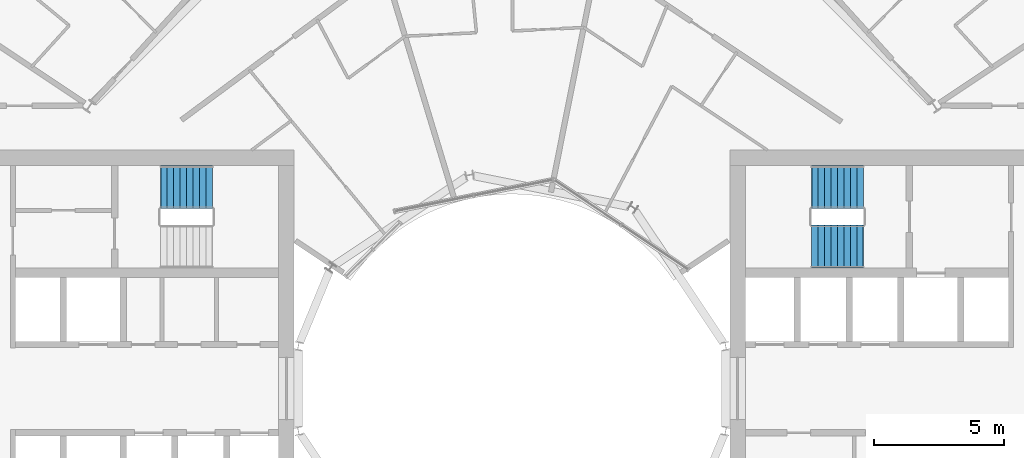
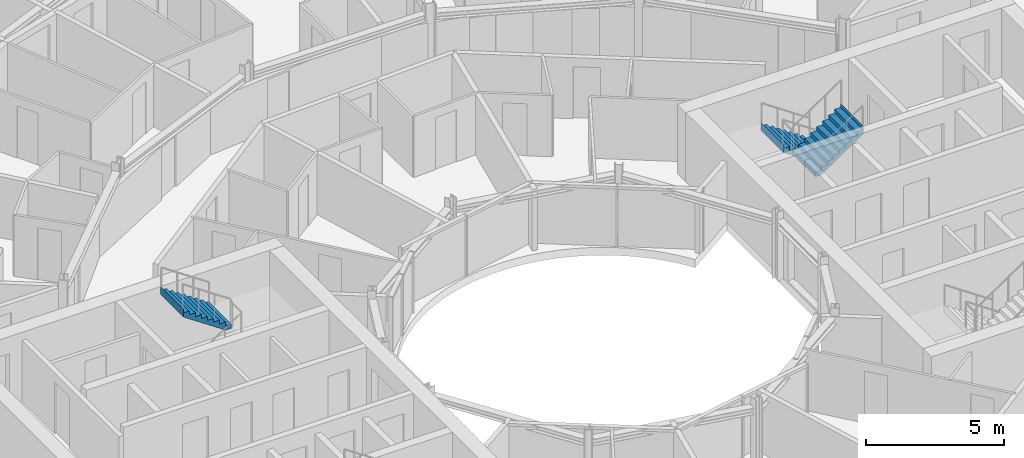
# One storey, part 25 of 27: 3 stair flights, 2 elements without a shape of their own.
"""IFC4 building model written with IfcOpenShell, lengths in metres."""

from ifc_helpers import new_model, si_unit, direction, frame, origin, place, context, subcontext, project, spatial, triangles, material, type_object, element, aggregate, save


model = new_model("IFC4")

# Units and contexts
model_context = context("Model", 3, precision=1e-05, world=origin(), true_north=direction((0.0, 1.0)))
body_context = subcontext(model_context, "Body", "Model", "MODEL_VIEW")
ifc_project = project(units=[si_unit("LENGTHUNIT", "METRE"), si_unit("AREAUNIT", "SQUARE_METRE"), si_unit("VOLUMEUNIT", "CUBIC_METRE"), si_unit("PLANEANGLEUNIT", "RADIAN"), si_unit("MASSUNIT", "GRAM", prefix="KILO")], contexts=[model_context])

# Site, building, storey
site_placement = place(None, origin())
site = spatial("IfcSite", under=ifc_project, at=site_placement, CompositionType="ELEMENT")
building_placement = place(site_placement, origin())
building = spatial("IfcBuilding", under=site, at=building_placement, Name="Maasbend Ring Residences", CompositionType="ELEMENT")
storey_placement = place(building_placement, frame((0.0, 0.0, 126.89990234375)))
storey = spatial("IfcBuildingStorey", under=building, at=storey_placement, Name="L36", CompositionType="ELEMENT", Elevation=126.89990234375)

# Stair, stair flights
ifc_material_1 = material(Name="Concrete C40/50", Category="concrete")
stair_type = type_object("IfcStairType", Name="CORE STAIR 18 RISERS", PredefinedType="HALF_TURN_STAIR", material=ifc_material_1)
stair_1_placement = place(storey_placement, origin())
stair_1 = element("IfcStair", 1, at=stair_1_placement, inside=storey, type_object=stair_type, Name="L36 Exit stair ST-E1", PredefinedType="HALF_TURN_STAIR")
ifc_material_2 = material(Name="Concrete C40/50", Category="concrete")
stair_flight_type = type_object("IfcStairFlightType", Name="CORE STAIR FLIGHT 1650", PredefinedType="STRAIGHT", material=ifc_material_2)
stair_flight_1_placement = place(storey_placement, frame((13.550048828125, 7.77490234375, 0.0), z_axis=(0.0, 0.0, 1.0), x_axis=(-1.0, 0.0, 0.0)))
stair_flight_1 = element("IfcStairFlight", 2, at=stair_flight_1_placement, type_object=stair_flight_type, Name="ST-E1 flight 1", NumberOfRisers=9, NumberOfTreads=8, PredefinedType="STRAIGHT", RiserHeight=0.169444444, TreadLength=0.25, context=body_context, shape_type="Tessellation", body=[
    triangles([(0.24072265625, 0.824951171875, -0.02001953125), (2.0029296875, 0.824951171875, 1.174560546875), (2.0029296875, 0.824951171875, 1.52490234375), (1.989990234375, 0.824951171875, 1.35546875), (1.75, 0.824951171875, 1.35546875), (1.75, 0.824951171875, 1.18603515625), (1.5, 0.824951171875, 1.18603515625), (1.5, 0.824951171875, 1.0166015625), (1.25, 0.824951171875, 1.0166015625), (1.25, 0.824951171875, 0.84716796875), (1.0, 0.824951171875, 0.84716796875), (1.0, 0.824951171875, 0.677734375), (0.75, 0.824951171875, 0.677734375), (0.75, 0.824951171875, 0.50830078125), (0.5, 0.824951171875, 0.50830078125), (0.5, 0.824951171875, 0.3388671875), (0.25, 0.824951171875, 0.3388671875), (0.25, 0.824951171875, 0.16943359375), (0.0, 0.824951171875, 0.16943359375), (0.0, 0.824951171875, 0.0), (-0.0029296875, 0.824951171875, 0.0), (-0.0029296875, 0.824951171875, -0.02001953125), (0.24072265625, 0.27490234375, -0.02001953125), (2.0029296875, 0.27490234375, 1.174560546875), (2.0029296875, 0.27490234375, 1.52490234375), (1.989990234375, 0.27490234375, 1.35546875), (1.75, 0.27490234375, 1.35546875), (1.75, 0.27490234375, 1.18603515625), (1.5, 0.27490234375, 1.18603515625), (1.5, 0.27490234375, 1.0166015625), (1.25, 0.27490234375, 1.0166015625), (1.25, 0.27490234375, 0.84716796875), (1.0, 0.27490234375, 0.84716796875), (1.0, 0.27490234375, 0.677734375), (0.75, 0.27490234375, 0.677734375), (0.75, 0.27490234375, 0.50830078125), (0.5, 0.27490234375, 0.50830078125), (0.5, 0.27490234375, 0.3388671875), (0.25, 0.27490234375, 0.3388671875), (0.25, 0.27490234375, 0.16943359375), (0.0, 0.27490234375, 0.16943359375), (0.0, 0.27490234375, 0.0), (-0.0029296875, 0.27490234375, 0.0), (-0.0029296875, 0.27490234375, -0.02001953125), (0.24072265625, -0.27490234375, -0.02001953125), (2.0029296875, -0.27490234375, 1.174560546875), (2.0029296875, -0.27490234375, 1.52490234375), (1.989990234375, -0.27490234375, 1.35546875), (1.75, -0.27490234375, 1.35546875), (1.75, -0.27490234375, 1.18603515625), (1.5, -0.27490234375, 1.18603515625), (1.5, -0.27490234375, 1.0166015625), (1.25, -0.27490234375, 1.0166015625), (1.25, -0.27490234375, 0.84716796875), (1.0, -0.27490234375, 0.84716796875), (1.0, -0.27490234375, 0.677734375), (0.75, -0.27490234375, 0.677734375), (0.75, -0.27490234375, 0.50830078125), (0.5, -0.27490234375, 0.50830078125), (0.5, -0.27490234375, 0.3388671875), (0.25, -0.27490234375, 0.3388671875), (0.25, -0.27490234375, 0.16943359375), (0.0, -0.27490234375, 0.16943359375), (0.0, -0.27490234375, 0.0), (-0.0029296875, -0.27490234375, 0.0), (-0.0029296875, -0.27490234375, -0.02001953125), (0.24072265625, -0.824951171875, -0.02001953125), (2.0029296875, -0.824951171875, 1.174560546875), (2.0029296875, -0.824951171875, 1.52490234375), (1.989990234375, -0.824951171875, 1.35546875), (1.75, -0.824951171875, 1.35546875), (1.75, -0.824951171875, 1.18603515625), (1.5, -0.824951171875, 1.18603515625), (1.5, -0.824951171875, 1.0166015625), (1.25, -0.824951171875, 1.0166015625), (1.25, -0.824951171875, 0.84716796875), (1.0, -0.824951171875, 0.84716796875), (1.0, -0.824951171875, 0.677734375), (0.75, -0.824951171875, 0.677734375), (0.75, -0.824951171875, 0.50830078125), (0.5, -0.824951171875, 0.50830078125), (0.5, -0.824951171875, 0.3388671875), (0.25, -0.824951171875, 0.3388671875), (0.25, -0.824951171875, 0.16943359375), (0.0, -0.824951171875, 0.16943359375), (0.0, -0.824951171875, 0.0), (-0.0029296875, -0.824951171875, 0.0), (-0.0029296875, -0.824951171875, -0.02001953125)], [[1, 2, 24], [1, 24, 23], [23, 24, 46], [23, 46, 45], [45, 46, 68], [45, 68, 67], [2, 3, 25], [2, 25, 24], [24, 25, 47], [24, 47, 46], [46, 47, 69], [46, 69, 68], [3, 4, 26], [3, 26, 25], [25, 26, 48], [25, 48, 47], [47, 48, 70], [47, 70, 69], [4, 5, 27], [4, 27, 26], [26, 27, 49], [26, 49, 48], [48, 49, 71], [48, 71, 70], [5, 6, 28], [5, 28, 27], [27, 28, 50], [27, 50, 49], [49, 50, 72], [49, 72, 71], [6, 7, 29], [6, 29, 28], [28, 29, 51], [28, 51, 50], [50, 51, 73], [50, 73, 72], [7, 8, 30], [7, 30, 29], [29, 30, 52], [29, 52, 51], [51, 52, 74], [51, 74, 73], [8, 9, 31], [8, 31, 30], [30, 31, 53], [30, 53, 52], [52, 53, 75], [52, 75, 74], [9, 10, 32], [9, 32, 31], [31, 32, 54], [31, 54, 53], [53, 54, 76], [53, 76, 75], [10, 11, 33], [10, 33, 32], [32, 33, 55], [32, 55, 54], [54, 55, 77], [54, 77, 76], [11, 12, 34], [11, 34, 33], [33, 34, 56], [33, 56, 55], [55, 56, 78], [55, 78, 77], [12, 13, 35], [12, 35, 34], [34, 35, 57], [34, 57, 56], [56, 57, 79], [56, 79, 78], [13, 14, 36], [13, 36, 35], [35, 36, 58], [35, 58, 57], [57, 58, 80], [57, 80, 79], [14, 15, 37], [14, 37, 36], [36, 37, 59], [36, 59, 58], [58, 59, 81], [58, 81, 80], [15, 16, 38], [15, 38, 37], [37, 38, 60], [37, 60, 59], [59, 60, 82], [59, 82, 81], [16, 17, 39], [16, 39, 38], [38, 39, 61], [38, 61, 60], [60, 61, 83], [60, 83, 82], [17, 18, 40], [17, 40, 39], [39, 40, 62], [39, 62, 61], [61, 62, 84], [61, 84, 83], [18, 19, 41], [18, 41, 40], [40, 41, 63], [40, 63, 62], [62, 63, 85], [62, 85, 84], [19, 20, 42], [19, 42, 41], [41, 42, 64], [41, 64, 63], [63, 64, 86], [63, 86, 85], [20, 21, 43], [20, 43, 42], [42, 43, 65], [42, 65, 64], [64, 65, 87], [64, 87, 86], [21, 22, 44], [21, 44, 43], [43, 44, 66], [43, 66, 65], [65, 66, 88], [65, 88, 87], [22, 1, 23], [22, 23, 44], [44, 23, 45], [44, 45, 66], [66, 45, 67], [66, 67, 88], [22, 2, 1], [2, 4, 3], [2, 5, 4], [2, 6, 5], [22, 6, 2], [6, 8, 7], [22, 8, 6], [8, 10, 9], [22, 10, 8], [10, 12, 11], [22, 12, 10], [12, 14, 13], [22, 14, 12], [14, 16, 15], [22, 16, 14], [16, 18, 17], [22, 18, 16], [18, 20, 19], [22, 20, 18], [20, 22, 21], [88, 67, 68], [68, 69, 70], [68, 70, 71], [68, 71, 72], [88, 68, 72], [72, 73, 74], [88, 72, 74], [74, 75, 76], [88, 74, 76], [76, 77, 78], [88, 76, 78], [78, 79, 80], [88, 78, 80], [80, 81, 82], [88, 80, 82], [82, 83, 84], [88, 82, 84], [84, 85, 86], [88, 84, 86], [86, 87, 88]], closed=True),
])
stair_flight_2_placement = place(storey_placement, frame((11.550048828125, 5.47509765625, 1.525146484375), z_axis=(0.0, 0.0, 1.0), x_axis=(1.0, 0.0, 0.0)))
stair_flight_2 = element("IfcStairFlight", 3, at=stair_flight_2_placement, type_object=stair_flight_type, Name="ST-E1 flight 2", NumberOfRisers=9, NumberOfTreads=8, PredefinedType="STRAIGHT", RiserHeight=0.169444444, TreadLength=0.25, context=body_context, shape_type="Tessellation", body=[
    triangles([(0.24072265625, 0.824951171875, -0.02001953125), (2.0029296875, 0.824951171875, 1.174560546875), (2.0029296875, 0.824951171875, 1.52490234375), (1.989990234375, 0.824951171875, 1.35546875), (1.75, 0.824951171875, 1.35546875), (1.75, 0.824951171875, 1.18603515625), (1.5, 0.824951171875, 1.18603515625), (1.5, 0.824951171875, 1.0166015625), (1.25, 0.824951171875, 1.0166015625), (1.25, 0.824951171875, 0.84716796875), (1.0, 0.824951171875, 0.84716796875), (1.0, 0.824951171875, 0.677734375), (0.75, 0.824951171875, 0.677734375), (0.75, 0.824951171875, 0.50830078125), (0.5, 0.824951171875, 0.50830078125), (0.5, 0.824951171875, 0.3388671875), (0.25, 0.824951171875, 0.3388671875), (0.25, 0.824951171875, 0.16943359375), (0.0, 0.824951171875, 0.16943359375), (0.0, 0.824951171875, 0.0), (-0.0029296875, 0.824951171875, 0.0), (-0.0029296875, 0.824951171875, -0.02001953125), (0.24072265625, 0.27490234375, -0.02001953125), (2.0029296875, 0.27490234375, 1.174560546875), (2.0029296875, 0.27490234375, 1.52490234375), (1.989990234375, 0.27490234375, 1.35546875), (1.75, 0.27490234375, 1.35546875), (1.75, 0.27490234375, 1.18603515625), (1.5, 0.27490234375, 1.18603515625), (1.5, 0.27490234375, 1.0166015625), (1.25, 0.27490234375, 1.0166015625), (1.25, 0.27490234375, 0.84716796875), (1.0, 0.27490234375, 0.84716796875), (1.0, 0.27490234375, 0.677734375), (0.75, 0.27490234375, 0.677734375), (0.75, 0.27490234375, 0.50830078125), (0.5, 0.27490234375, 0.50830078125), (0.5, 0.27490234375, 0.3388671875), (0.25, 0.27490234375, 0.3388671875), (0.25, 0.27490234375, 0.16943359375), (0.0, 0.27490234375, 0.16943359375), (0.0, 0.27490234375, 0.0), (-0.0029296875, 0.27490234375, 0.0), (-0.0029296875, 0.27490234375, -0.02001953125), (0.24072265625, -0.27490234375, -0.02001953125), (2.0029296875, -0.27490234375, 1.174560546875), (2.0029296875, -0.27490234375, 1.52490234375), (1.989990234375, -0.27490234375, 1.35546875), (1.75, -0.27490234375, 1.35546875), (1.75, -0.27490234375, 1.18603515625), (1.5, -0.27490234375, 1.18603515625), (1.5, -0.27490234375, 1.0166015625), (1.25, -0.27490234375, 1.0166015625), (1.25, -0.27490234375, 0.84716796875), (1.0, -0.27490234375, 0.84716796875), (1.0, -0.27490234375, 0.677734375), (0.75, -0.27490234375, 0.677734375), (0.75, -0.27490234375, 0.50830078125), (0.5, -0.27490234375, 0.50830078125), (0.5, -0.27490234375, 0.3388671875), (0.25, -0.27490234375, 0.3388671875), (0.25, -0.27490234375, 0.16943359375), (0.0, -0.27490234375, 0.16943359375), (0.0, -0.27490234375, 0.0), (-0.0029296875, -0.27490234375, 0.0), (-0.0029296875, -0.27490234375, -0.02001953125), (0.24072265625, -0.824951171875, -0.02001953125), (2.0029296875, -0.824951171875, 1.174560546875), (2.0029296875, -0.824951171875, 1.52490234375), (1.989990234375, -0.824951171875, 1.35546875), (1.75, -0.824951171875, 1.35546875), (1.75, -0.824951171875, 1.18603515625), (1.5, -0.824951171875, 1.18603515625), (1.5, -0.824951171875, 1.0166015625), (1.25, -0.824951171875, 1.0166015625), (1.25, -0.824951171875, 0.84716796875), (1.0, -0.824951171875, 0.84716796875), (1.0, -0.824951171875, 0.677734375), (0.75, -0.824951171875, 0.677734375), (0.75, -0.824951171875, 0.50830078125), (0.5, -0.824951171875, 0.50830078125), (0.5, -0.824951171875, 0.3388671875), (0.25, -0.824951171875, 0.3388671875), (0.25, -0.824951171875, 0.16943359375), (0.0, -0.824951171875, 0.16943359375), (0.0, -0.824951171875, 0.0), (-0.0029296875, -0.824951171875, 0.0), (-0.0029296875, -0.824951171875, -0.02001953125)], [[1, 2, 24], [1, 24, 23], [23, 24, 46], [23, 46, 45], [45, 46, 68], [45, 68, 67], [2, 3, 25], [2, 25, 24], [24, 25, 47], [24, 47, 46], [46, 47, 69], [46, 69, 68], [3, 4, 26], [3, 26, 25], [25, 26, 48], [25, 48, 47], [47, 48, 70], [47, 70, 69], [4, 5, 27], [4, 27, 26], [26, 27, 49], [26, 49, 48], [48, 49, 71], [48, 71, 70], [5, 6, 28], [5, 28, 27], [27, 28, 50], [27, 50, 49], [49, 50, 72], [49, 72, 71], [6, 7, 29], [6, 29, 28], [28, 29, 51], [28, 51, 50], [50, 51, 73], [50, 73, 72], [7, 8, 30], [7, 30, 29], [29, 30, 52], [29, 52, 51], [51, 52, 74], [51, 74, 73], [8, 9, 31], [8, 31, 30], [30, 31, 53], [30, 53, 52], [52, 53, 75], [52, 75, 74], [9, 10, 32], [9, 32, 31], [31, 32, 54], [31, 54, 53], [53, 54, 76], [53, 76, 75], [10, 11, 33], [10, 33, 32], [32, 33, 55], [32, 55, 54], [54, 55, 77], [54, 77, 76], [11, 12, 34], [11, 34, 33], [33, 34, 56], [33, 56, 55], [55, 56, 78], [55, 78, 77], [12, 13, 35], [12, 35, 34], [34, 35, 57], [34, 57, 56], [56, 57, 79], [56, 79, 78], [13, 14, 36], [13, 36, 35], [35, 36, 58], [35, 58, 57], [57, 58, 80], [57, 80, 79], [14, 15, 37], [14, 37, 36], [36, 37, 59], [36, 59, 58], [58, 59, 81], [58, 81, 80], [15, 16, 38], [15, 38, 37], [37, 38, 60], [37, 60, 59], [59, 60, 82], [59, 82, 81], [16, 17, 39], [16, 39, 38], [38, 39, 61], [38, 61, 60], [60, 61, 83], [60, 83, 82], [17, 18, 40], [17, 40, 39], [39, 40, 62], [39, 62, 61], [61, 62, 84], [61, 84, 83], [18, 19, 41], [18, 41, 40], [40, 41, 63], [40, 63, 62], [62, 63, 85], [62, 85, 84], [19, 20, 42], [19, 42, 41], [41, 42, 64], [41, 64, 63], [63, 64, 86], [63, 86, 85], [20, 21, 43], [20, 43, 42], [42, 43, 65], [42, 65, 64], [64, 65, 87], [64, 87, 86], [21, 22, 44], [21, 44, 43], [43, 44, 66], [43, 66, 65], [65, 66, 88], [65, 88, 87], [22, 1, 23], [22, 23, 44], [44, 23, 45], [44, 45, 66], [66, 45, 67], [66, 67, 88], [22, 2, 1], [2, 4, 3], [2, 5, 4], [2, 6, 5], [22, 6, 2], [6, 8, 7], [22, 8, 6], [8, 10, 9], [22, 10, 8], [10, 12, 11], [22, 12, 10], [12, 14, 13], [22, 14, 12], [14, 16, 15], [22, 16, 14], [16, 18, 17], [22, 18, 16], [18, 20, 19], [22, 20, 18], [20, 22, 21], [88, 67, 68], [68, 69, 70], [68, 70, 71], [68, 71, 72], [88, 68, 72], [72, 73, 74], [88, 72, 74], [74, 75, 76], [88, 74, 76], [76, 77, 78], [88, 76, 78], [78, 79, 80], [88, 78, 80], [80, 81, 82], [88, 80, 82], [82, 83, 84], [88, 82, 84], [84, 85, 86], [88, 84, 86], [86, 87, 88]], closed=True),
])
aggregate(stair_1, [stair_flight_1, stair_flight_2])

# Stair, stair flight
stair_2_placement = place(storey_placement, origin())
stair_2 = element("IfcStair", 4, at=stair_2_placement, inside=storey, type_object=stair_type, Name="L36 Exit stair ST-W2", PredefinedType="HALF_TURN_STAIR")
stair_flight_3_placement = place(storey_placement, frame((-11.550048828125, 7.77490234375, 1.525146484375), z_axis=(0.0, 0.0, 1.0), x_axis=(-1.0, 0.0, 0.0)))
stair_flight_3 = element("IfcStairFlight", 5, at=stair_flight_3_placement, type_object=stair_flight_type, Name="ST-W2 flight 2", NumberOfRisers=9, NumberOfTreads=8, PredefinedType="STRAIGHT", RiserHeight=0.169444444, TreadLength=0.25, context=body_context, shape_type="Tessellation", body=[
    triangles([(0.24072265625, 0.824951171875, -0.02001953125), (2.0029296875, 0.824951171875, 1.174560546875), (2.0029296875, 0.824951171875, 1.52490234375), (1.989990234375, 0.824951171875, 1.35546875), (1.75, 0.824951171875, 1.35546875), (1.75, 0.824951171875, 1.18603515625), (1.5, 0.824951171875, 1.18603515625), (1.5, 0.824951171875, 1.0166015625), (1.25, 0.824951171875, 1.0166015625), (1.25, 0.824951171875, 0.84716796875), (1.0, 0.824951171875, 0.84716796875), (1.0, 0.824951171875, 0.677734375), (0.75, 0.824951171875, 0.677734375), (0.75, 0.824951171875, 0.50830078125), (0.5, 0.824951171875, 0.50830078125), (0.5, 0.824951171875, 0.3388671875), (0.25, 0.824951171875, 0.3388671875), (0.25, 0.824951171875, 0.16943359375), (0.0, 0.824951171875, 0.16943359375), (0.0, 0.824951171875, 0.0), (-0.0029296875, 0.824951171875, 0.0), (-0.0029296875, 0.824951171875, -0.02001953125), (0.24072265625, 0.27490234375, -0.02001953125), (2.0029296875, 0.27490234375, 1.174560546875), (2.0029296875, 0.27490234375, 1.52490234375), (1.989990234375, 0.27490234375, 1.35546875), (1.75, 0.27490234375, 1.35546875), (1.75, 0.27490234375, 1.18603515625), (1.5, 0.27490234375, 1.18603515625), (1.5, 0.27490234375, 1.0166015625), (1.25, 0.27490234375, 1.0166015625), (1.25, 0.27490234375, 0.84716796875), (1.0, 0.27490234375, 0.84716796875), (1.0, 0.27490234375, 0.677734375), (0.75, 0.27490234375, 0.677734375), (0.75, 0.27490234375, 0.50830078125), (0.5, 0.27490234375, 0.50830078125), (0.5, 0.27490234375, 0.3388671875), (0.25, 0.27490234375, 0.3388671875), (0.25, 0.27490234375, 0.16943359375), (0.0, 0.27490234375, 0.16943359375), (0.0, 0.27490234375, 0.0), (-0.0029296875, 0.27490234375, 0.0), (-0.0029296875, 0.27490234375, -0.02001953125), (0.24072265625, -0.27490234375, -0.02001953125), (2.0029296875, -0.27490234375, 1.174560546875), (2.0029296875, -0.27490234375, 1.52490234375), (1.989990234375, -0.27490234375, 1.35546875), (1.75, -0.27490234375, 1.35546875), (1.75, -0.27490234375, 1.18603515625), (1.5, -0.27490234375, 1.18603515625), (1.5, -0.27490234375, 1.0166015625), (1.25, -0.27490234375, 1.0166015625), (1.25, -0.27490234375, 0.84716796875), (1.0, -0.27490234375, 0.84716796875), (1.0, -0.27490234375, 0.677734375), (0.75, -0.27490234375, 0.677734375), (0.75, -0.27490234375, 0.50830078125), (0.5, -0.27490234375, 0.50830078125), (0.5, -0.27490234375, 0.3388671875), (0.25, -0.27490234375, 0.3388671875), (0.25, -0.27490234375, 0.16943359375), (0.0, -0.27490234375, 0.16943359375), (0.0, -0.27490234375, 0.0), (-0.0029296875, -0.27490234375, 0.0), (-0.0029296875, -0.27490234375, -0.02001953125), (0.24072265625, -0.824951171875, -0.02001953125), (2.0029296875, -0.824951171875, 1.174560546875), (2.0029296875, -0.824951171875, 1.52490234375), (1.989990234375, -0.824951171875, 1.35546875), (1.75, -0.824951171875, 1.35546875), (1.75, -0.824951171875, 1.18603515625), (1.5, -0.824951171875, 1.18603515625), (1.5, -0.824951171875, 1.0166015625), (1.25, -0.824951171875, 1.0166015625), (1.25, -0.824951171875, 0.84716796875), (1.0, -0.824951171875, 0.84716796875), (1.0, -0.824951171875, 0.677734375), (0.75, -0.824951171875, 0.677734375), (0.75, -0.824951171875, 0.50830078125), (0.5, -0.824951171875, 0.50830078125), (0.5, -0.824951171875, 0.3388671875), (0.25, -0.824951171875, 0.3388671875), (0.25, -0.824951171875, 0.16943359375), (0.0, -0.824951171875, 0.16943359375), (0.0, -0.824951171875, 0.0), (-0.0029296875, -0.824951171875, 0.0), (-0.0029296875, -0.824951171875, -0.02001953125)], [[1, 2, 24], [1, 24, 23], [23, 24, 46], [23, 46, 45], [45, 46, 68], [45, 68, 67], [2, 3, 25], [2, 25, 24], [24, 25, 47], [24, 47, 46], [46, 47, 69], [46, 69, 68], [3, 4, 26], [3, 26, 25], [25, 26, 48], [25, 48, 47], [47, 48, 70], [47, 70, 69], [4, 5, 27], [4, 27, 26], [26, 27, 49], [26, 49, 48], [48, 49, 71], [48, 71, 70], [5, 6, 28], [5, 28, 27], [27, 28, 50], [27, 50, 49], [49, 50, 72], [49, 72, 71], [6, 7, 29], [6, 29, 28], [28, 29, 51], [28, 51, 50], [50, 51, 73], [50, 73, 72], [7, 8, 30], [7, 30, 29], [29, 30, 52], [29, 52, 51], [51, 52, 74], [51, 74, 73], [8, 9, 31], [8, 31, 30], [30, 31, 53], [30, 53, 52], [52, 53, 75], [52, 75, 74], [9, 10, 32], [9, 32, 31], [31, 32, 54], [31, 54, 53], [53, 54, 76], [53, 76, 75], [10, 11, 33], [10, 33, 32], [32, 33, 55], [32, 55, 54], [54, 55, 77], [54, 77, 76], [11, 12, 34], [11, 34, 33], [33, 34, 56], [33, 56, 55], [55, 56, 78], [55, 78, 77], [12, 13, 35], [12, 35, 34], [34, 35, 57], [34, 57, 56], [56, 57, 79], [56, 79, 78], [13, 14, 36], [13, 36, 35], [35, 36, 58], [35, 58, 57], [57, 58, 80], [57, 80, 79], [14, 15, 37], [14, 37, 36], [36, 37, 59], [36, 59, 58], [58, 59, 81], [58, 81, 80], [15, 16, 38], [15, 38, 37], [37, 38, 60], [37, 60, 59], [59, 60, 82], [59, 82, 81], [16, 17, 39], [16, 39, 38], [38, 39, 61], [38, 61, 60], [60, 61, 83], [60, 83, 82], [17, 18, 40], [17, 40, 39], [39, 40, 62], [39, 62, 61], [61, 62, 84], [61, 84, 83], [18, 19, 41], [18, 41, 40], [40, 41, 63], [40, 63, 62], [62, 63, 85], [62, 85, 84], [19, 20, 42], [19, 42, 41], [41, 42, 64], [41, 64, 63], [63, 64, 86], [63, 86, 85], [20, 21, 43], [20, 43, 42], [42, 43, 65], [42, 65, 64], [64, 65, 87], [64, 87, 86], [21, 22, 44], [21, 44, 43], [43, 44, 66], [43, 66, 65], [65, 66, 88], [65, 88, 87], [22, 1, 23], [22, 23, 44], [44, 23, 45], [44, 45, 66], [66, 45, 67], [66, 67, 88], [22, 2, 1], [2, 4, 3], [2, 5, 4], [2, 6, 5], [22, 6, 2], [6, 8, 7], [22, 8, 6], [8, 10, 9], [22, 10, 8], [10, 12, 11], [22, 12, 10], [12, 14, 13], [22, 14, 12], [14, 16, 15], [22, 16, 14], [16, 18, 17], [22, 18, 16], [18, 20, 19], [22, 20, 18], [20, 22, 21], [88, 67, 68], [68, 69, 70], [68, 70, 71], [68, 71, 72], [88, 68, 72], [72, 73, 74], [88, 72, 74], [74, 75, 76], [88, 74, 76], [76, 77, 78], [88, 76, 78], [78, 79, 80], [88, 78, 80], [80, 81, 82], [88, 80, 82], [82, 83, 84], [88, 82, 84], [84, 85, 86], [88, 84, 86], [86, 87, 88]], closed=True),
])
aggregate(stair_2, [stair_flight_3])

save(model, "model.ifc")
